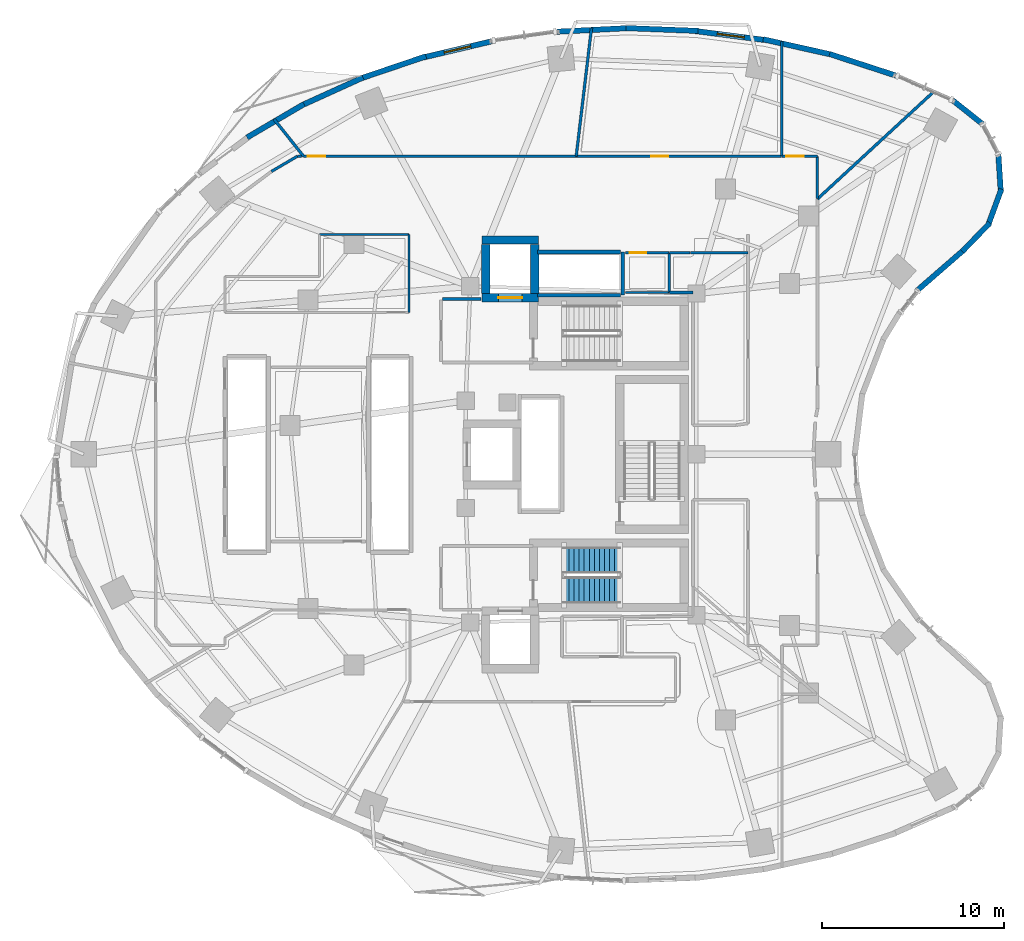
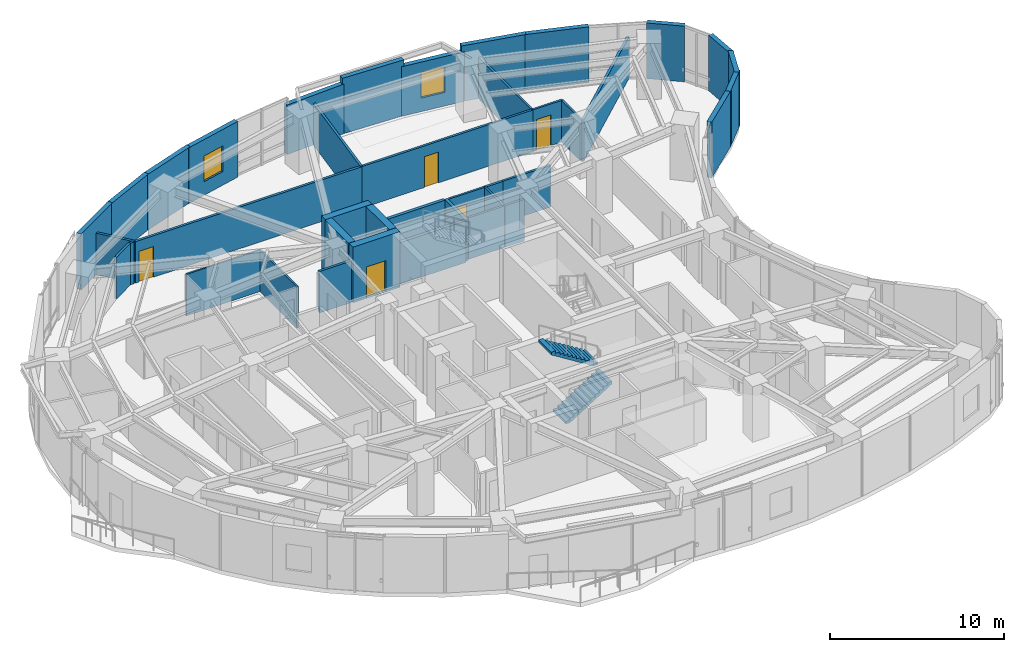
# One storey, part 11 of 15: 40 walls, 5 doors, 2 stair flights, 2 windows, 7 openings, 1 element without a shape of its own.
"""IFC4 building model written with IfcOpenShell, lengths in metres."""

from ifc_helpers import new_model, si_unit, direction, frame, frame_2d, origin, place, context, subcontext, project, spatial, polyline, rectangle, outline, extrude, material, layer, layer_set, type_object, element, fill, aggregate, save


model = new_model("IFC4")

# Units and contexts
model_context = context("Model", 3, precision=1e-05, world=origin(), true_north=direction((0.0, 1.0)))
body_context = subcontext(model_context, "Body", "Model", "MODEL_VIEW")
ifc_project = project(units=[si_unit("LENGTHUNIT", "METRE"), si_unit("AREAUNIT", "SQUARE_METRE"), si_unit("VOLUMEUNIT", "CUBIC_METRE"), si_unit("PLANEANGLEUNIT", "RADIAN"), si_unit("MASSUNIT", "GRAM", prefix="KILO")], contexts=[model_context])

# Site, building, storey
site_placement = place(None, origin())
site = spatial("IfcSite", under=ifc_project, at=site_placement, CompositionType="ELEMENT")
building_placement = place(site_placement, origin())
building = spatial("IfcBuilding", under=site, at=building_placement, Name="Korentha Bioscience Tower", CompositionType="ELEMENT")
storey_placement = place(building_placement, frame((0.0, 0.0, 72.0)))
storey = spatial("IfcBuildingStorey", under=building, at=storey_placement, Name="L16", CompositionType="ELEMENT", Elevation=72.0)

# Wall, opening, door
ifc_material_1 = material(Name="Double-Stud Acoustic Gypsum", Category="gypsum")
ifc_layer_1 = layer(ifc_material_1, 0.14990234375, Name="Double-Stud Acoustic Gypsum")
ifc_layer_set_1 = layer_set([ifc_layer_1], Name="Double-Stud Acoustic Gypsum (IW-L150)")
wall_type_1 = type_object("IfcWallType", Name="Acoustic Laboratory Partition Wall 150", PredefinedType="PARTITIONING", material=ifc_layer_set_1)
wall_1_placement = place(storey_placement, frame((42.241943359375, 43.409912109375, 0.0), z_axis=(0.0, 0.0, 1.0), x_axis=(-1.0, 0.0, 0.0)))
wall_1 = element("IfcWall", 1, at=wall_1_placement, inside=storey, type_object=wall_type_1, Name="L16 Lyophilization Freeze-Drying Room 11 Entrance Wall", PredefinedType="PARTITIONING", context=body_context, shape_type="SweptSolid", body=[
    extrude(rectangle(XDim=11.3095703125, YDim=0.14990234375, at=frame_2d((5.65478515625, 0.0))), origin(), (0.0, 0.0, 1.0), 2.909912109375),
])
opening_1_placement = place(wall_1_placement, frame((6.240966796875, 0.0, 0.0)))
opening_1 = element("IfcOpeningElement", 2, at=opening_1_placement, cuts=wall_1, Name="Opening ID-10L", PredefinedType="OPENING", context=body_context, shape_type="SweptSolid", body=[
    extrude(rectangle(XDim=0.949951171875, YDim=2.14990234375, at=frame_2d((0.47509765625, 1.074951171875))), frame((0.0, 0.08984375, 0.0), z_axis=(0.0, -1.0, 0.0), x_axis=(1.0, 0.0, 0.0)), (0.0, 0.0, 1.0), 0.1796875),
])
ifc_material_2 = material(Name="Phenolic Laminate Timber Core", Category="wood")
door_type_1 = type_object("IfcDoorType", Name="Laboratory Single Leaf Door 950x2150 Left", OperationType="SINGLE_SWING_LEFT", PredefinedType="DOOR", material=ifc_material_2)
door_1_placement = place(opening_1_placement, origin())
door_1 = element("IfcDoor", 3, at=door_1_placement, inside=storey, type_object=door_type_1, Name="L16 Lyophilization Freeze-Drying Room 11 Door", OperationType="SINGLE_SWING_LEFT", OverallHeight=2.14990234375, OverallWidth=0.949951171875, PredefinedType="DOOR", context=body_context, shape_type="SweptSolid", body=[
    extrude(rectangle(XDim=0.949951171875, YDim=2.14990234375, at=frame_2d((0.47509765625, 1.074951171875))), frame((0.0, 0.02490234375, 0.0), z_axis=(0.0, -1.0, 0.0), x_axis=(1.0, 0.0, 0.0)), (0.0, 0.0, 1.0), 0.050048828125),
])
fill(opening_1, door_1)

# Walls
wall_2_placement = place(storey_placement, frame((37.35009765625, 35.909912109375, 0.0), z_axis=(0.0, 0.0, 1.0), x_axis=(-1.0, 0.0, 0.0)))
element("IfcWall", 4, at=wall_2_placement, inside=storey, type_object=wall_type_1, Name="L16 Interior Partition 063", PredefinedType="PARTITIONING", context=body_context, shape_type="SweptSolid", body=[
    extrude(rectangle(XDim=1.2900390625, YDim=0.14990234375, at=frame_2d((0.64501953125, 0.0))), origin(), (0.0, 0.0, 1.0), 2.909912109375),
])
wall_3_placement = place(storey_placement, frame((36.06005859375, 38.090087890625, 0.0), z_axis=(0.0, 0.0, 1.0), x_axis=(1.0, 0.0, 0.0)))
element("IfcWall", 5, at=wall_3_placement, inside=storey, type_object=wall_type_1, Name="L16 Interior Partition 064", PredefinedType="PARTITIONING", context=body_context, shape_type="SweptSolid", body=[
    extrude(rectangle(XDim=1.139892578125, YDim=0.14990234375, at=frame_2d((0.56982421875, 0.0))), origin(), (0.0, 0.0, 1.0), 2.909912109375),
])
wall_4_placement = place(storey_placement, frame((37.2099609375, 38.10009765625, 0.0), z_axis=(0.0, 0.0, 1.0), x_axis=(1.0, 0.0, 0.0)))
element("IfcWall", 6, at=wall_4_placement, inside=storey, type_object=wall_type_1, Name="L16 Interior Partition 066", PredefinedType="PARTITIONING", context=body_context, shape_type="SweptSolid", body=[
    extrude(rectangle(XDim=3.179931640625, YDim=0.14990234375, at=frame_2d((1.58984375, 0.0))), origin(), (0.0, 0.0, 1.0), 2.909912109375),
])
wall_5_placement = place(storey_placement, frame((30.932373046875, 43.409912109375, 0.0), z_axis=(0.0, 0.0, 1.0), x_axis=(0.118403788483, 0.992965529549, 0.0)))
element("IfcWall", 7, at=wall_5_placement, inside=storey, type_object=wall_type_1, Name="L16 Interior Partition 070", PredefinedType="PARTITIONING", context=body_context, shape_type="SweptSolid", body=[
    extrude(rectangle(XDim=7.11572265625, YDim=0.14990234375, at=frame_2d((3.557861328125, 0.0))), origin(), (0.0, 0.0, 1.0), 2.909912109375),
])
wall_6_placement = place(storey_placement, frame((15.81689453125, 43.409912109375, 0.0), z_axis=(0.0, 0.0, 1.0), x_axis=(-1.0, 0.0, 0.0)))
element("IfcWall", 8, at=wall_6_placement, inside=storey, type_object=wall_type_1, Name="L16 Interior Partition 077", PredefinedType="PARTITIONING", context=body_context, shape_type="SweptSolid", body=[
    extrude(rectangle(XDim=0.22607421875, YDim=0.14990234375, at=frame_2d((0.113037109375, 0.0))), origin(), (0.0, 0.0, 1.0), 2.909912109375),
])
wall_7_placement = place(storey_placement, frame((15.585693359375, 43.40869140625, 0.0), z_axis=(0.0, 0.0, 1.0), x_axis=(-0.862446636904, -0.506148000582, 0.0)))
element("IfcWall", 9, at=wall_7_placement, inside=storey, type_object=wall_type_1, Name="L16 Interior Partition 078", PredefinedType="PARTITIONING", context=body_context, shape_type="SweptSolid", body=[
    extrude(rectangle(XDim=1.652099609375, YDim=0.14990234375, at=frame_2d((0.826171875, 0.0))), origin(), (0.0, 0.0, 1.0), 2.909912109375),
])

# Wall, opening, door
ifc_material_3 = material(Name="Insulated Aluminium Honeycomb Panel", Category="aluminium")
ifc_layer_2 = layer(ifc_material_3, 0.139892578125, Name="Insulated Aluminium Honeycomb Panel")
ifc_layer_set_2 = layer_set([ifc_layer_2], Name="Insulated Aluminium Honeycomb Panel (IW-F60)")
wall_type_2 = type_object("IfcWallType", Name="Cleanroom Flush Metal Panel Partition 140", PredefinedType="PARTITIONING", material=ifc_layer_set_2)
wall_8_placement = place(storey_placement, frame((44.199951171875, 43.409912109375, 0.0), z_axis=(0.0, 0.0, 1.0), x_axis=(-1.0, 0.0, 0.0)))
wall_8 = element("IfcWall", 10, at=wall_8_placement, inside=storey, type_object=wall_type_2, Name="L16 Vaccine Formulation Cleanroom 10 Entrance Wall", PredefinedType="PARTITIONING", context=body_context, shape_type="SweptSolid", body=[
    extrude(rectangle(XDim=1.947998046875, YDim=0.139892578125, at=frame_2d((0.97412109375, 0.0))), origin(), (0.0, 0.0, 1.0), 2.909912109375),
])
opening_2_placement = place(wall_8_placement, frame((0.758056640625, 0.0, 0.0)))
opening_2 = element("IfcOpeningElement", 11, at=opening_2_placement, cuts=wall_8, Name="Opening ID-10R", PredefinedType="OPENING", context=body_context, shape_type="SweptSolid", body=[
    extrude(rectangle(XDim=0.949951171875, YDim=2.14990234375, at=frame_2d((0.47509765625, 1.074951171875))), frame((0.0, 0.0849609375, 0.0), z_axis=(0.0, -1.0, 0.0), x_axis=(1.0, 0.0, 0.0)), (0.0, 0.0, 1.0), 0.169677734375),
])
door_type_2 = type_object("IfcDoorType", Name="Laboratory Single Leaf Door 950x2150 Right", OperationType="SINGLE_SWING_RIGHT", PredefinedType="DOOR", material=ifc_material_2)
door_2_placement = place(opening_2_placement, origin())
door_2 = element("IfcDoor", 12, at=door_2_placement, inside=storey, type_object=door_type_2, Name="L16 Vaccine Formulation Cleanroom 10 Door", OperationType="SINGLE_SWING_RIGHT", OverallHeight=2.14990234375, OverallWidth=0.949951171875, PredefinedType="DOOR", context=body_context, shape_type="SweptSolid", body=[
    extrude(rectangle(XDim=0.949951171875, YDim=2.14990234375, at=frame_2d((0.47509765625, 1.074951171875))), frame((0.0, 0.02490234375, 0.0), z_axis=(0.0, -1.0, 0.0), x_axis=(1.0, 0.0, 0.0)), (0.0, 0.0, 1.0), 0.050048828125),
])
fill(opening_2, door_2)

# Walls
wall_9_placement = place(storey_placement, frame((44.2099609375, 41.070556640625, 0.0), z_axis=(0.0, 0.0, 1.0), x_axis=(0.0, 1.0, 0.0)))
element("IfcWall", 13, at=wall_9_placement, inside=storey, type_object=wall_type_2, Name="L16 Interior Partition 068", PredefinedType="PARTITIONING", context=body_context, shape_type="SweptSolid", body=[
    extrude(rectangle(XDim=2.329345703125, YDim=0.139892578125, at=frame_2d((1.16455078125, 0.0))), origin(), (0.0, 0.0, 1.0), 2.909912109375),
])
wall_10_placement = place(storey_placement, frame((42.251953125, 43.409912109375, 0.0), z_axis=(0.0, 0.0, 1.0), x_axis=(0.0, 1.0, 0.0)))
element("IfcWall", 14, at=wall_10_placement, inside=storey, type_object=wall_type_2, Name="L16 Interior Partition 069", PredefinedType="PARTITIONING", context=body_context, shape_type="SweptSolid", body=[
    extrude(rectangle(XDim=6.3212890625, YDim=0.139892578125, at=frame_2d((3.16064453125, 0.0))), origin(), (0.0, 0.0, 1.0), 2.909912109375),
])
ifc_material_4 = material(Name="Fire-Rated Framed Glass", Category="glass")
ifc_layer_3 = layer(ifc_material_4, 0.110107421875, Name="Fire-Rated Framed Glass")
ifc_layer_set_3 = layer_set([ifc_layer_3], Name="Fire-Rated Framed Glass (IW-G110)")
wall_type_3 = type_object("IfcWallType", Name="Demountable Glazed Office Partition 110", PredefinedType="MOVABLE", material=ifc_layer_set_3)
wall_11_placement = place(storey_placement, frame((16.81005859375, 39.090087890625, 0.0), z_axis=(0.0, 0.0, 1.0), x_axis=(1.0, 0.0, 0.0)))
element("IfcWall", 15, at=wall_11_placement, inside=storey, type_object=wall_type_3, Name="L16 Interior Partition 074", PredefinedType="MOVABLE", context=body_context, shape_type="SweptSolid", body=[
    extrude(rectangle(XDim=4.929931640625, YDim=0.110107421875, at=frame_2d((2.46484375, 0.0))), origin(), (0.0, 0.0, 1.0), 2.909912109375),
])
wall_12_placement = place(storey_placement, frame((21.739990234375, 39.090087890625, 0.0), z_axis=(0.0, 0.0, 1.0), x_axis=(0.0, -1.0, 0.0)))
element("IfcWall", 16, at=wall_12_placement, inside=storey, type_object=wall_type_3, Name="L16 Interior Partition 075", PredefinedType="MOVABLE", context=body_context, shape_type="SweptSolid", body=[
    extrude(rectangle(XDim=4.280029296875, YDim=0.110107421875, at=frame_2d((2.14013671875, 0.0))), origin(), (0.0, 0.0, 1.0), 2.909912109375),
])
ifc_material_5 = material(Name="Gypsum-Clad Steel Stud", Category="steel")
ifc_layer_4 = layer(ifc_material_5, 0.159912109375, Name="Gypsum-Clad Steel Stud")
ifc_layer_set_4 = layer_set([ifc_layer_4], Name="Gypsum-Clad Steel Stud (IW-C160)")
wall_type_4 = type_object("IfcWallType", Name="Fire-Rated Corridor Partition Wall 160", PredefinedType="PARTITIONING", material=ifc_layer_set_4)
wall_13_placement = place(storey_placement, frame((23.580078125, 35.550048828125, 0.0), z_axis=(0.0, 0.0, 1.0), x_axis=(1.0, 0.0, 0.0)))
element("IfcWall", 17, at=wall_13_placement, inside=storey, type_object=wall_type_4, Name="L16 Firefighting Lobby Return Wall FFLN-N", PredefinedType="PARTITIONING", context=body_context, shape_type="SweptSolid", body=[
    extrude(rectangle(XDim=2.119873046875, YDim=0.159912109375, at=frame_2d((1.06005859375, 0.0))), origin(), (0.0, 0.0, 1.0), 2.909912109375),
])

# Wall, opening, door
wall_14_placement = place(storey_placement, frame((30.92236328125, 43.409912109375, 0.0), z_axis=(0.0, 0.0, 1.0), x_axis=(-1.0, 0.0, 0.0)))
wall_14 = element("IfcWall", 18, at=wall_14_placement, inside=storey, type_object=wall_type_4, Name="L16 Cold-Chain Stability Chamber 12 Entrance Wall", PredefinedType="PARTITIONING", context=body_context, shape_type="SweptSolid", body=[
    extrude(rectangle(XDim=14.999267578125, YDim=0.159912109375, at=frame_2d((7.49951171875, 0.0))), origin(), (0.0, 0.0, 1.0), 2.909912109375),
])
opening_3_placement = place(wall_14_placement, frame((13.809326171875, 0.0, 0.0)))
opening_3 = element("IfcOpeningElement", 19, at=opening_3_placement, cuts=wall_14, Name="Opening ID-10R", PredefinedType="OPENING", context=body_context, shape_type="SweptSolid", body=[
    extrude(rectangle(XDim=0.949951171875, YDim=2.14990234375, at=frame_2d((0.47509765625, 1.074951171875))), frame((0.0, 0.0947265625, 0.0), z_axis=(0.0, -1.0, 0.0), x_axis=(1.0, 0.0, 0.0)), (0.0, 0.0, 1.0), 0.189697265625),
])
door_3_placement = place(opening_3_placement, origin())
door_3 = element("IfcDoor", 20, at=door_3_placement, inside=storey, type_object=door_type_2, Name="L16 Cold-Chain Stability Chamber 12 Door", OperationType="SINGLE_SWING_RIGHT", OverallHeight=2.14990234375, OverallWidth=0.949951171875, PredefinedType="DOOR", context=body_context, shape_type="SweptSolid", body=[
    extrude(rectangle(XDim=0.949951171875, YDim=2.14990234375, at=frame_2d((0.47509765625, 1.074951171875))), frame((0.0, 0.02490234375, 0.0), z_axis=(0.0, -1.0, 0.0), x_axis=(1.0, 0.0, 0.0)), (0.0, 0.0, 1.0), 0.050048828125),
])
fill(opening_3, door_3)

# Walls
wall_15_placement = place(storey_placement, frame((44.2099609375, 41.056884765625, 0.0), z_axis=(0.0, 0.0, 1.0), x_axis=(0.734905798847, 0.678169202206, 0.0)))
element("IfcWall", 21, at=wall_15_placement, inside=storey, type_object=wall_type_4, Name="L16 Interior Partition 060", PredefinedType="PARTITIONING", context=body_context, shape_type="SweptSolid", body=[
    extrude(rectangle(XDim=8.7783203125, YDim=0.159912109375, at=frame_2d((4.38916015625, 0.0))), origin(), (0.0, 0.0, 1.0), 2.909912109375),
])
wall_16_placement = place(storey_placement, frame((15.923095703125, 43.409912109375, 0.0), z_axis=(0.0, 0.0, 1.0), x_axis=(-0.622507898818, 0.782613516309, 0.0)))
element("IfcWall", 22, at=wall_16_placement, inside=storey, type_object=wall_type_4, Name="L16 Interior Partition 071", PredefinedType="PARTITIONING", context=body_context, shape_type="SweptSolid", body=[
    extrude(rectangle(XDim=2.60302734375, YDim=0.159912109375, at=frame_2d((1.301513671875, 0.0))), origin(), (0.0, 0.0, 1.0), 2.909912109375),
])

# Wall, opening, window
ifc_material_6 = material(Name="Honed Limestone Precast Concrete C40", Category="masonry")
ifc_layer_5 = layer(ifc_material_6, 0.300048828125, Name="Honed Limestone Precast Concrete C40")
ifc_layer_set_5 = layer_set([ifc_layer_5], Name="Honed Limestone Precast Concrete C40 (EW-ST300)")
wall_type_5 = type_object("IfcWallType", Name="Honed Limestone Cavity Spandrel Wall 300", PredefinedType="STANDARD", material=ifc_layer_set_5)
wall_17_placement = place(storey_placement, frame((41.37255859375, 49.797607421875, 0.0), z_axis=(0.0, 0.0, 1.0), x_axis=(-0.991741322416, 0.128254237408, 0.0)))
wall_17 = element("IfcWall", 23, at=wall_17_placement, inside=storey, type_object=wall_type_5, Name="L16 Honed Limestone Spandrel Wall 04", PredefinedType="STANDARD", context=body_context, shape_type="SweptSolid", body=[
    extrude(rectangle(XDim=3.91552734375, YDim=0.300048828125, at=frame_2d((1.957763671875, 0.0))), origin(), (0.0, 0.0, 1.0), 3.469970703125),
])
opening_4_placement = place(wall_17_placement, frame((1.2080078125, 0.0, 0.949951171875)))
opening_4 = element("IfcOpeningElement", 24, at=opening_4_placement, cuts=wall_17, Name="Opening WN-02", PredefinedType="OPENING", context=body_context, shape_type="SweptSolid", body=[
    extrude(rectangle(XDim=1.5, YDim=1.800048828125, at=frame_2d((0.75, 0.89990234375))), frame((0.0, 0.1650390625, 0.0), z_axis=(0.0, -1.0, 0.0), x_axis=(1.0, 0.0, 0.0)), (0.0, 0.0, 1.0), 0.329833984375),
])
ifc_material_7 = material(Name="Thermally Broken Aluminium Triple Glazing", Category="aluminium")
window_type = type_object("IfcWindowType", Name="Acoustic Operable Office Window 1500x1800", PartitioningType="DOUBLE_PANEL_VERTICAL", PredefinedType="WINDOW", material=ifc_material_7)
window_1_placement = place(opening_4_placement, origin())
window_1 = element("IfcWindow", 25, at=window_1_placement, inside=storey, type_object=window_type, Name="L16 Facade Window 04", OverallHeight=1.800048828125, OverallWidth=1.5, PartitioningType="DOUBLE_PANEL_VERTICAL", PredefinedType="WINDOW", context=body_context, shape_type="SweptSolid", body=[
    extrude(rectangle(XDim=1.5, YDim=1.800048828125, at=frame_2d((0.75, 0.89990234375))), frame((0.0, 0.030029296875, 0.0), z_axis=(0.0, -1.0, 0.0), x_axis=(1.0, 0.0, 0.0)), (0.0, 0.0, 1.0), 0.06005859375),
])
fill(opening_4, window_1)

wall_18_placement = place(storey_placement, frame((26.282470703125, 49.73486328125, 0.0), z_axis=(0.0, 0.0, 1.0), x_axis=(-0.973186156802, -0.230018921417, 0.0)))
wall_18 = element("IfcWall", 26, at=wall_18_placement, inside=storey, type_object=wall_type_5, Name="L16 Honed Limestone Spandrel Wall 08", PredefinedType="STANDARD", context=body_context, shape_type="SweptSolid", body=[
    extrude(rectangle(XDim=3.861328125, YDim=0.300048828125, at=frame_2d((1.9306640625, 0.0))), origin(), (0.0, 0.0, 1.0), 3.89990234375),
])
opening_5_placement = place(wall_18_placement, frame((1.1806640625, 0.0, 0.949951171875)))
opening_5 = element("IfcOpeningElement", 27, at=opening_5_placement, cuts=wall_18, Name="Opening WN-02", PredefinedType="OPENING", context=body_context, shape_type="SweptSolid", body=[
    extrude(rectangle(XDim=1.5, YDim=1.800048828125, at=frame_2d((0.75, 0.89990234375))), frame((0.0, 0.1650390625, 0.0), z_axis=(0.0, -1.0, 0.0), x_axis=(1.0, 0.0, 0.0)), (0.0, 0.0, 1.0), 0.329833984375),
])
window_2_placement = place(opening_5_placement, origin())
window_2 = element("IfcWindow", 28, at=window_2_placement, inside=storey, type_object=window_type, Name="L16 Facade Window 08", OverallHeight=1.800048828125, OverallWidth=1.5, PartitioningType="DOUBLE_PANEL_VERTICAL", PredefinedType="WINDOW", context=body_context, shape_type="SweptSolid", body=[
    extrude(rectangle(XDim=1.5, YDim=1.800048828125, at=frame_2d((0.75, 0.89990234375))), frame((0.0, 0.030029296875, 0.0), z_axis=(0.0, -1.0, 0.0), x_axis=(1.0, 0.0, 0.0)), (0.0, 0.0, 1.0), 0.06005859375),
])
fill(opening_5, window_2)

# Walls
wall_19_placement = place(storey_placement, frame((48.524658203125, 47.84912109375, 0.0), z_axis=(0.0, 0.0, 1.0), x_axis=(-0.950965833732, 0.309295947393, 0.0)))
element("IfcWall", 29, at=wall_19_placement, inside=storey, type_object=wall_type_5, Name="L16 Limestone Perimeter Closure Wall 02", PredefinedType="STANDARD", context=body_context, shape_type="SweptSolid", body=[
    extrude(rectangle(XDim=3.840087890625, YDim=0.300048828125, at=frame_2d((1.919921875, 0.0))), origin(), (0.0, 0.0, 1.0), 3.89990234375),
])
wall_20_placement = place(storey_placement, frame((45.03955078125, 48.9912109375, 0.0), z_axis=(0.0, 0.0, 1.0), x_axis=(-0.975868573345, 0.218358713032, 0.0)))
element("IfcWall", 30, at=wall_20_placement, inside=storey, type_object=wall_type_5, Name="L16 Limestone Perimeter Closure Wall 03", PredefinedType="STANDARD", context=body_context, shape_type="SweptSolid", body=[
    extrude(rectangle(XDim=3.90869140625, YDim=0.300048828125, at=frame_2d((1.954345703125, 0.0))), origin(), (0.0, 0.0, 1.0), 3.89990234375),
])
wall_21_placement = place(storey_placement, frame((37.643798828125, 50.307861328125, 0.0), z_axis=(0.0, 0.0, 1.0), x_axis=(-0.999245411623, 0.038840794937, 0.0)))
element("IfcWall", 31, at=wall_21_placement, inside=storey, type_object=wall_type_5, Name="L16 Limestone Perimeter Closure Wall 05", PredefinedType="STANDARD", context=body_context, shape_type="SweptSolid", body=[
    extrude(rectangle(XDim=3.978759765625, YDim=0.300048828125, at=frame_2d((1.9892578125, 0.0))), origin(), (0.0, 0.0, 1.0), 3.89990234375),
])
wall_22_placement = place(storey_placement, frame((33.84033203125, 50.46337890625, 0.0), z_axis=(0.0, 0.0, 1.0), x_axis=(-0.998732359232, -0.050335619826, 0.0)))
element("IfcWall", 32, at=wall_22_placement, inside=storey, type_object=wall_type_5, Name="L16 Limestone Perimeter Closure Wall 06", PredefinedType="STANDARD", context=body_context, shape_type="SweptSolid", body=[
    extrude(rectangle(XDim=3.977294921875, YDim=0.300048828125, at=frame_2d((1.98876953125, 0.0))), origin(), (0.0, 0.0, 1.0), 3.469970703125),
])
wall_23_placement = place(storey_placement, frame((22.6669921875, 48.9091796875, 0.0), z_axis=(0.0, 0.0, 1.0), x_axis=(-0.94702579403, -0.321157508773, 0.0)))
element("IfcWall", 33, at=wall_23_placement, inside=storey, type_object=wall_type_5, Name="L16 Limestone Perimeter Closure Wall 09", PredefinedType="STANDARD", context=body_context, shape_type="SweptSolid", body=[
    extrude(rectangle(XDim=3.829833984375, YDim=0.300048828125, at=frame_2d((1.9150390625, 0.0))), origin(), (0.0, 0.0, 1.0), 3.89990234375),
])
wall_24_placement = place(storey_placement, frame((19.201416015625, 47.7431640625, 0.0), z_axis=(0.0, 0.0, 1.0), x_axis=(-0.910623406862, -0.413237233166, 0.0)))
element("IfcWall", 34, at=wall_24_placement, inside=storey, type_object=wall_type_5, Name="L16 Limestone Perimeter Closure Wall 10", PredefinedType="STANDARD", context=body_context, shape_type="SweptSolid", body=[
    extrude(rectangle(XDim=3.73974609375, YDim=0.300048828125, at=frame_2d((1.869873046875, 0.0))), origin(), (0.0, 0.0, 1.0), 3.89990234375),
])
wall_25_placement = place(storey_placement, frame((15.95068359375, 46.27783203125, 0.0), z_axis=(0.0, 0.0, 1.0), x_axis=(-0.8624654944, -0.506115867139, 0.0)))
element("IfcWall", 35, at=wall_25_placement, inside=storey, type_object=wall_type_5, Name="L16 Limestone Perimeter Closure Wall 11", PredefinedType="STANDARD", context=body_context, shape_type="SweptSolid", body=[
    extrude(rectangle(XDim=3.63525390625, YDim=0.300048828125, at=frame_2d((1.817626953125, 0.0))), origin(), (0.0, 0.0, 1.0), 3.89990234375),
])
wall_26_placement = place(storey_placement, frame((49.708984375, 36.029296875, 0.0), z_axis=(0.0, 0.0, 1.0), x_axis=(0.754746490246, 0.656016566454, 0.0)))
element("IfcWall", 36, at=wall_26_placement, inside=storey, type_object=wall_type_5, Name="L16 Limestone Perimeter Closure Wall 56", PredefinedType="STANDARD", context=body_context, shape_type="SweptSolid", body=[
    extrude(rectangle(XDim=3.4296875, YDim=0.300048828125, at=frame_2d((1.71484375, 0.0))), origin(), (0.0, 0.0, 1.0), 3.89990234375),
])
wall_27_placement = place(storey_placement, frame((52.1728515625, 38.1611328125, 0.0), z_axis=(0.0, 0.0, 1.0), x_axis=(0.695404695719, 0.718618333451, 0.0)))
element("IfcWall", 37, at=wall_27_placement, inside=storey, type_object=wall_type_5, Name="L16 Limestone Perimeter Closure Wall 58", PredefinedType="STANDARD", context=body_context, shape_type="SweptSolid", body=[
    extrude(rectangle(XDim=2.1875, YDim=0.300048828125, at=frame_2d((1.09375, 0.0))), origin(), (0.0, 0.0, 1.0), 3.89990234375),
])
for number, where, z_axis, x_axis, name in (
    (38, (53.580078125, 39.551513671875, 0.0), (0.0, 0.0, 1.0), (0.344939866054, 0.938624785954, 0.0), "L16 Limestone Perimeter Closure Wall 59"),
    (39, (54.303955078125, 41.392578125, 0.0), (0.0, 0.0, 1.0), (-0.064615302336, 0.99791024782, 0.0), "L16 Limestone Perimeter Closure Wall 60"),
    (40, (53.343994140625, 45.142822265625, 0.0), (0.0, 0.0, 1.0), (-0.782282158644, 0.622924252432, 0.0), "L16 Limestone Perimeter Closure Wall 62"),
):
    element("IfcWall", number, at=place(storey_placement, frame(where, z_axis=z_axis, x_axis=x_axis)), inside=storey, type_object=wall_type_5, Name=name, PredefinedType="STANDARD", context=body_context, shape_type="SweptSolid", body=[
        extrude(rectangle(XDim=2.187744140625, YDim=0.300048828125, at=frame_2d((1.09375, 0.0))), origin(), (0.0, 0.0, 1.0), 3.89990234375),
    ])
ifc_material_8 = material(Name="Autoclaved Aerated Concrete Block C25", Category="concrete")
ifc_layer_6 = layer(ifc_material_8, 0.199951171875, Name="Autoclaved Aerated Concrete Block C25")
ifc_layer_set_6 = layer_set([ifc_layer_6], Name="Autoclaved Aerated Concrete Block C25 (IW-S200)")
wall_type_6 = type_object("IfcWallType", Name="Lift and Riser Shaft Enclosure Wall 200", PredefinedType="PARTITIONING", material=ifc_layer_set_6)
wall_28_placement = place(storey_placement, frame((33.489990234375, 35.760009765625, 0.0), z_axis=(0.0, 0.0, 1.0), x_axis=(0.0, 1.0, 0.0)))
element("IfcWall", 41, at=wall_28_placement, inside=storey, type_object=wall_type_6, Name="L16 Lift Bank OBS Shaft Wall +X", PredefinedType="PARTITIONING", context=body_context, shape_type="SweptSolid", body=[
    extrude(rectangle(XDim=2.3798828125, YDim=0.199951171875, at=frame_2d((1.18994140625, 0.0))), origin(), (0.0, 0.0, 1.0), 2.909912109375),
])
for number, where, z_axis, x_axis, name in (
    (42, (28.800048828125, 35.760009765625, 0.0), (0.0, 0.0, 1.0), (1.0, 0.0, 0.0), "L16 Lift Bank OBS Shaft Wall -Y"),
    (43, (28.800048828125, 38.139892578125, 0.0), (0.0, 0.0, 1.0), (1.0, 0.0, 0.0), "L16 Lift Bank OBS Shaft Wall +Y"),
):
    element("IfcWall", number, at=place(storey_placement, frame(where, z_axis=z_axis, x_axis=x_axis)), inside=storey, type_object=wall_type_6, Name=name, PredefinedType="PARTITIONING", context=body_context, shape_type="SweptSolid", body=[
        extrude(rectangle(XDim=4.570068359375, YDim=0.199951171875, at=frame_2d((2.28515625, 0.0))), origin(), (0.0, 0.0, 1.0), 2.909912109375),
    ])
ifc_material_9 = material(Name="Concrete C80", Category="concrete")
ifc_layer_7 = layer(ifc_material_9, 0.449951171875, Name="Concrete C80")
ifc_layer_set_7 = layer_set([ifc_layer_7], Name="Concrete C80 (CW-C80)")
wall_type_7 = type_object("IfcWallType", Name="Lower Core Shear Wall 450", PredefinedType="SHEAR", material=ifc_layer_set_7)
wall_29_placement = place(storey_placement, frame((25.75, 38.800048828125, 0.0), z_axis=(0.0, 0.0, 1.0), x_axis=(1.0, 0.0, 0.0)))
element("IfcWall", 44, at=wall_29_placement, inside=storey, type_object=wall_type_7, Name="L16 Core Shear Wall FFL2-N", PredefinedType="SHEAR", context=body_context, shape_type="SweptSolid", body=[
    extrude(rectangle(XDim=3.10009765625, YDim=0.449951171875, at=frame_2d((1.550048828125, 0.0))), origin(), (0.0, 0.0, 1.0), 3.89990234375),
])

# Wall, opening, door
wall_30_placement = place(storey_placement, frame((25.75, 35.6201171875, 0.0), z_axis=(0.0, 0.0, 1.0), x_axis=(1.0, 0.0, 0.0)))
wall_30 = element("IfcWall", 45, at=wall_30_placement, inside=storey, type_object=wall_type_7, Name="L16 Core Shear Wall FFL2-S", PredefinedType="SHEAR", context=body_context, shape_type="SweptSolid", body=[
    extrude(rectangle(XDim=3.10009765625, YDim=0.449951171875, at=frame_2d((1.550048828125, 0.0))), origin(), (0.0, 0.0, 1.0), 3.89990234375),
])
opening_6_placement = place(wall_30_placement, frame((0.89990234375, 0.0, 0.0)))
opening_6 = element("IfcOpeningElement", 46, at=opening_6_placement, cuts=wall_30, Name="Opening LD-13", PredefinedType="OPENING", context=body_context, shape_type="SweptSolid", body=[
    extrude(rectangle(XDim=1.300048828125, YDim=2.199951171875, at=frame_2d((0.64990234375, 1.10009765625))), frame((0.0, 0.23974609375, 0.0), z_axis=(0.0, -1.0, 0.0), x_axis=(1.0, 0.0, 0.0)), (0.0, 0.0, 1.0), 0.479736328125),
])
ifc_material_10 = material(Name="Brushed Stainless Steel 316", Category="steel")
door_type_3 = type_object("IfcDoorType", Name="Service & Firefighting Lift Landing Door 1300x2300", OperationType="DOUBLE_DOOR_SLIDING", PredefinedType="DOOR", material=ifc_material_10)
door_4_placement = place(opening_6_placement, origin())
door_4 = element("IfcDoor", 47, at=door_4_placement, inside=storey, type_object=door_type_3, Name="L16 FFL-2 Sliding Lift Landing Door", OperationType="DOUBLE_DOOR_SLIDING", OverallHeight=2.199951171875, OverallWidth=1.300048828125, PredefinedType="DOOR", context=body_context, shape_type="SweptSolid", body=[
    extrude(rectangle(XDim=1.300048828125, YDim=2.199951171875, at=frame_2d((0.64990234375, 1.10009765625))), frame((0.0, 0.02490234375, 0.0), z_axis=(0.0, -1.0, 0.0), x_axis=(1.0, 0.0, 0.0)), (0.0, 0.0, 1.0), 0.050048828125),
])
fill(opening_6, door_4)

# Walls
for number, where, z_axis, x_axis, name in (
    (48, (25.949951171875, 35.860107421875, 0.0), (0.0, 0.0, 1.0), (0.0, 1.0, 0.0), "L16 Core Shear Wall FFL2-W"),
    (49, (28.64990234375, 35.860107421875, 0.0), (0.0, 0.0, 1.0), (0.0, 1.0, 0.0), "L16 Core Shear Wall FFL2-E"),
):
    element("IfcWall", number, at=place(storey_placement, frame(where, z_axis=z_axis, x_axis=x_axis)), inside=storey, type_object=wall_type_7, Name=name, PredefinedType="SHEAR", context=body_context, shape_type="SweptSolid", body=[
        extrude(rectangle(XDim=2.699951171875, YDim=0.449951171875, at=frame_2d((1.35009765625, 0.0))), origin(), (0.0, 0.0, 1.0), 3.89990234375),
    ])

# Wall, opening, door
ifc_material_11 = material(Name="Cement-Board Steel Stud", Category="steel")
ifc_layer_8 = layer(ifc_material_11, 0.1298828125, Name="Cement-Board Steel Stud")
ifc_layer_set_8 = layer_set([ifc_layer_8], Name="Cement-Board Steel Stud (IW-W130)")
wall_type_8 = type_object("IfcWallType", Name="Wet-Area Moisture-Resistant Partition 130", PredefinedType="PARTITIONING", material=ifc_layer_set_8)
wall_31_placement = place(storey_placement, frame((33.64990234375, 38.090087890625, 0.0), z_axis=(0.0, 0.0, 1.0), x_axis=(1.0, 0.0, 0.0)))
wall_31 = element("IfcWall", 50, at=wall_31_placement, inside=storey, type_object=wall_type_8, Name="L16 Accessible Staff WC Entrance Wall", PredefinedType="PARTITIONING", context=body_context, shape_type="SweptSolid", body=[
    extrude(rectangle(XDim=2.400146484375, YDim=0.1298828125, at=frame_2d((1.2001953125, 0.0))), origin(), (0.0, 0.0, 1.0), 2.909912109375),
])
opening_7_placement = place(wall_31_placement, frame((0.239990234375, 0.0, 0.0)))
opening_7 = element("IfcOpeningElement", 51, at=opening_7_placement, cuts=wall_31, Name="Opening ID-09R", PredefinedType="OPENING", context=body_context, shape_type="SweptSolid", body=[
    extrude(rectangle(XDim=0.89990234375, YDim=2.14990234375, at=frame_2d((0.449951171875, 1.074951171875))), frame((0.0, 0.079833984375, 0.0), z_axis=(0.0, -1.0, 0.0), x_axis=(1.0, 0.0, 0.0)), (0.0, 0.0, 1.0), 0.15966796875),
])
ifc_material_12 = material(Name="Moisture-Resistant HPL Leaf", Category="wood")
door_type_4 = type_object("IfcDoorType", Name="Restroom & Accessible WC Door 900x2150 Right", OperationType="SINGLE_SWING_RIGHT", PredefinedType="DOOR", material=ifc_material_12)
door_5_placement = place(opening_7_placement, origin())
door_5 = element("IfcDoor", 52, at=door_5_placement, inside=storey, type_object=door_type_4, Name="L16 Accessible Staff WC Door", OperationType="SINGLE_SWING_RIGHT", OverallHeight=2.14990234375, OverallWidth=0.89990234375, PredefinedType="DOOR", context=body_context, shape_type="SweptSolid", body=[
    extrude(rectangle(XDim=0.89990234375, YDim=2.14990234375, at=frame_2d((0.449951171875, 1.074951171875))), frame((0.0, 0.02490234375, 0.0), z_axis=(0.0, -1.0, 0.0), x_axis=(1.0, 0.0, 0.0)), (0.0, 0.0, 1.0), 0.050048828125),
])
fill(opening_7, door_5)

# Walls
wall_32_placement = place(storey_placement, frame((36.050048828125, 35.909912109375, 0.0), z_axis=(0.0, 0.0, 1.0), x_axis=(-1.0, 0.0, 0.0)))
element("IfcWall", 53, at=wall_32_placement, inside=storey, type_object=wall_type_8, Name="L16 Interior Partition 020", PredefinedType="PARTITIONING", context=body_context, shape_type="SweptSolid", body=[
    extrude(rectangle(XDim=2.400146484375, YDim=0.1298828125, at=frame_2d((1.2001953125, 0.0))), origin(), (0.0, 0.0, 1.0), 2.909912109375),
])
wall_33_placement = place(storey_placement, frame((36.050048828125, 38.090087890625, 0.0), z_axis=(0.0, 0.0, 1.0), x_axis=(0.0, -1.0, 0.0)))
element("IfcWall", 54, at=wall_33_placement, inside=storey, type_object=wall_type_8, Name="L16 Interior Partition 021", PredefinedType="PARTITIONING", context=body_context, shape_type="SweptSolid", body=[
    extrude(rectangle(XDim=2.18017578125, YDim=0.1298828125, at=frame_2d((1.090087890625, 0.0))), origin(), (0.0, 0.0, 1.0), 2.909912109375),
])

# Stair, stair flights
ifc_material_13 = material(Name="Precast Concrete C50", Category="concrete")
stair_type = type_object("IfcStairType", Name="Core Exit Dog-Leg Stair 1450", PredefinedType="HALF_TURN_STAIR", material=ifc_material_13)
stair_placement = place(storey_placement, origin())
stair = element("IfcStair", 55, at=stair_placement, inside=storey, type_object=stair_type, Name="L16 Tower South Pressurized Exit Stair ST-2", PredefinedType="HALF_TURN_STAIR")
stair_flight_type = type_object("IfcStairFlightType", Name="Core Exit Dog-Leg Stair 1450 Flight", PredefinedType="STRAIGHT", material=ifc_material_13)
stair_flight_1_placement = place(storey_placement, frame((30.25, 19.52490234375, 0.0), z_axis=(0.0, 0.0, 1.0), x_axis=(1.0, 0.0, 0.0)))
stair_flight_1 = element("IfcStairFlight", 56, at=stair_flight_1_placement, type_object=stair_flight_type, Name="ST-2 flight 1", NumberOfRisers=12, NumberOfTreads=11, PredefinedType="STRAIGHT", RiserHeight=0.175, TreadLength=0.28, context=body_context, shape_type="SweptSolid", body=[
    extrude(outline(polyline([(0.0, 0.0), (0.0, 0.175048828125), (0.280029296875, 0.175048828125), (0.280029296875, 0.35009765625), (0.56005859375, 0.35009765625), (0.56005859375, 0.52490234375), (0.840087890625, 0.52490234375), (0.840087890625, 0.699951171875), (1.1201171875, 0.699951171875), (1.1201171875, 0.875), (1.39990234375, 0.875), (1.39990234375, 1.050048828125), (1.679931640625, 1.050048828125), (1.679931640625, 1.22509765625), (1.9599609375, 1.22509765625), (1.9599609375, 1.39990234375), (2.239990234375, 1.39990234375), (2.239990234375, 1.574951171875), (2.52001953125, 1.574951171875), (2.52001953125, 1.75), (2.800048828125, 1.75), (2.800048828125, 1.925048828125), (3.080078125, 1.925048828125), (3.080078125, 2.10009765625), (3.080078125, 1.736328125), (0.3017578125, 0.0), (0.0, 0.0)])), frame((0.0, 0.72509765625, 0.0), z_axis=(0.0, -1.0, 0.0), x_axis=(1.0, 0.0, 0.0)), (0.0, 0.0, 1.0), 1.449951171875),
])
stair_flight_2_placement = place(storey_placement, frame((33.330078125, 21.175048828125, 2.10009765625), z_axis=(0.0, 0.0, 1.0), x_axis=(-1.0, 0.0, 0.0)))
stair_flight_2 = element("IfcStairFlight", 57, at=stair_flight_2_placement, type_object=stair_flight_type, Name="ST-2 flight 2", NumberOfRisers=12, NumberOfTreads=11, PredefinedType="STRAIGHT", RiserHeight=0.175, TreadLength=0.28, context=body_context, shape_type="SweptSolid", body=[
    extrude(outline(polyline([(0.0, 0.0), (0.0, 0.175048828125), (0.280029296875, 0.175048828125), (0.280029296875, 0.35009765625), (0.56005859375, 0.35009765625), (0.56005859375, 0.52490234375), (0.840087890625, 0.52490234375), (0.840087890625, 0.699951171875), (1.1201171875, 0.699951171875), (1.1201171875, 0.875), (1.39990234375, 0.875), (1.39990234375, 1.050048828125), (1.679931640625, 1.050048828125), (1.679931640625, 1.22509765625), (1.9599609375, 1.22509765625), (1.9599609375, 1.39990234375), (2.239990234375, 1.39990234375), (2.239990234375, 1.574951171875), (2.52001953125, 1.574951171875), (2.52001953125, 1.75), (2.800048828125, 1.75), (2.800048828125, 1.925048828125), (3.080078125, 1.925048828125), (3.080078125, 2.10009765625), (3.080078125, 1.736328125), (0.3017578125, 0.0), (0.0, 0.0)])), frame((0.0, 0.72509765625, 0.0), z_axis=(0.0, -1.0, 0.0), x_axis=(1.0, 0.0, 0.0)), (0.0, 0.0, 1.0), 1.449951171875),
])
aggregate(stair, [stair_flight_1, stair_flight_2])

save(model, "model.ifc")
